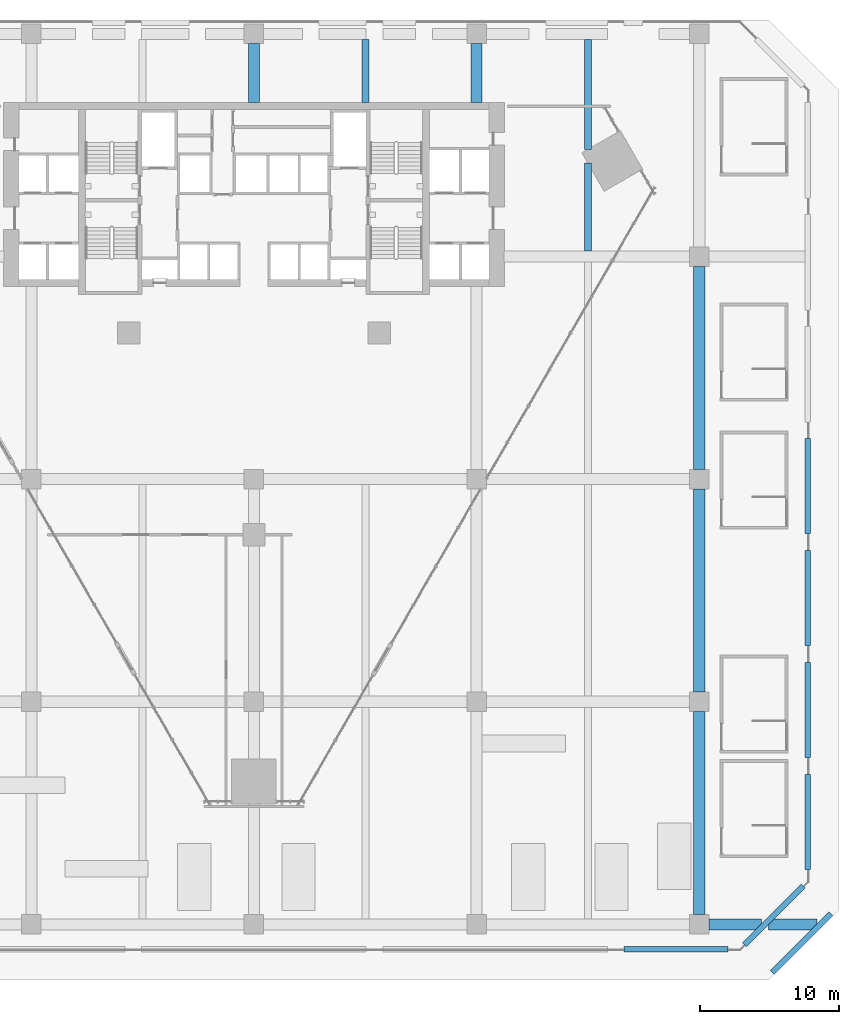
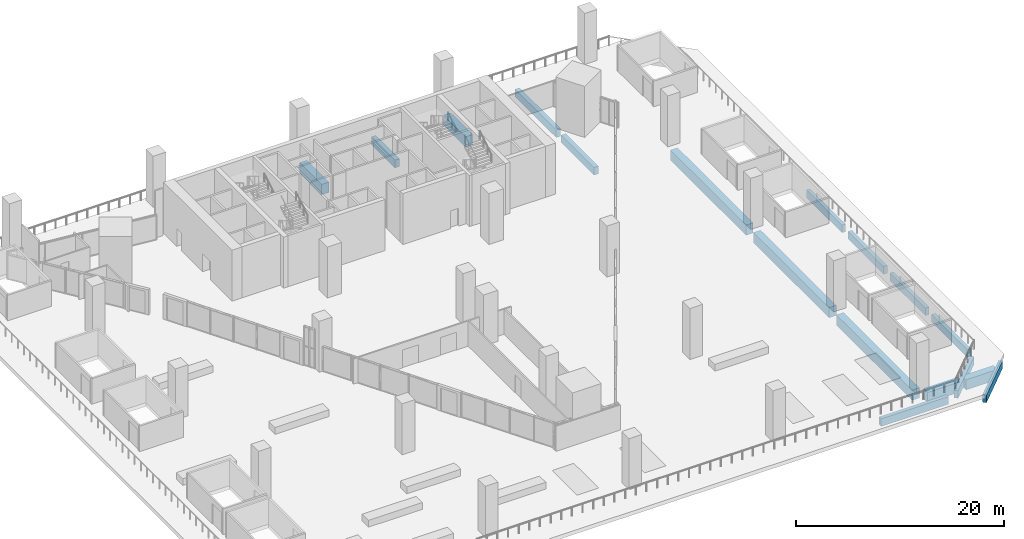
# One storey, part 11 of 25: 17 beams.
"""IFC4 building model written with IfcOpenShell, lengths in metres."""

from ifc_helpers import new_model, si_unit, direction, frame, origin, origin_2d, place, context, subcontext, project, spatial, rectangle, extrude, material, material_profile, profile_set, type_object, element, save


model = new_model("IFC4")

# Units and contexts
model_context = context("Model", 3, precision=1e-05, world=origin(), true_north=direction((0.0, 1.0)))
body_context = subcontext(model_context, "Body", "Model", "MODEL_VIEW")
ifc_project = project(units=[si_unit("LENGTHUNIT", "METRE"), si_unit("AREAUNIT", "SQUARE_METRE"), si_unit("VOLUMEUNIT", "CUBIC_METRE"), si_unit("PLANEANGLEUNIT", "RADIAN"), si_unit("MASSUNIT", "GRAM", prefix="KILO")], contexts=[model_context])

# Site, building, storey
site_placement = place(None, origin())
site = spatial("IfcSite", under=ifc_project, at=site_placement, CompositionType="ELEMENT")
building_placement = place(site_placement, origin())
building = spatial("IfcBuilding", under=site, at=building_placement, Name="Calabash Gate Tower", CompositionType="ELEMENT")
storey_placement = place(building_placement, frame((0.0, 0.0, 40.0)))
storey = spatial("IfcBuildingStorey", under=building, at=storey_placement, Name="L05", CompositionType="ELEMENT", Elevation=40.0)

# Beams
ifc_material_1 = material(Name="Concrete C50/60", Category="concrete")
ifc_material_profile_1 = material_profile(ifc_material_1, rectangle(XDim=0.39990234375, YDim=0.89990234375, at=origin_2d()))
ifc_profile_set_1 = profile_set([ifc_material_profile_1], Name="Concrete C50/60")
beam_type_1 = type_object("IfcBeamType", Name="Edge beam RC 400x900 Concrete C50/60", PredefinedType="BEAM", material=ifc_profile_set_1)
beam_1_placement = place(storey_placement, frame((39.800048828125, -5.075927734375, -0.89990234375), z_axis=(0.0, -1.0, 0.0), x_axis=(1.0, 0.0, 0.0)))
element("IfcBeam", 1, at=beam_1_placement, inside=storey, type_object=beam_type_1, Name="Edge beam L05 22", PredefinedType="BEAM", context=body_context, shape_type="SweptSolid", body=[
    extrude(rectangle(XDim=0.39990234375, YDim=0.89990234375, at=origin_2d()), origin(), (0.0, 0.0, 1.0), 6.84814453125),
])
for number, where, z_axis, x_axis, name in (
    (2, (39.800048828125, -13.1240234375, -0.89990234375), (0.0, -1.0, 0.0), (1.0, 0.0, 0.0), "Edge beam L05 23"),
    (3, (39.800048828125, -21.172119140625, -0.89990234375), (0.0, -1.0, 0.0), (1.0, 0.0, 0.0), "Edge beam L05 24"),
):
    element("IfcBeam", number, at=place(storey_placement, frame(where, z_axis=z_axis, x_axis=x_axis)), inside=storey, type_object=beam_type_1, Name=name, PredefinedType="BEAM", context=body_context, shape_type="SweptSolid", body=[
        extrude(rectangle(XDim=0.39990234375, YDim=0.89990234375, at=origin_2d()), origin(), (0.0, 0.0, 1.0), 6.847900390625),
    ])
beam_2_placement = place(storey_placement, frame((39.800048828125, -29.219970703125, -0.89990234375), z_axis=(0.0, -1.0, 0.0), x_axis=(1.0, 0.0, 0.0)))
element("IfcBeam", 4, at=beam_2_placement, inside=storey, type_object=beam_type_1, Name="Edge beam L05 25", PredefinedType="BEAM", context=body_context, shape_type="SweptSolid", body=[
    extrude(rectangle(XDim=0.39990234375, YDim=0.89990234375, at=origin_2d()), origin(), (0.0, 0.0, 1.0), 6.84912109375),
])
beam_3_placement = place(storey_placement, frame((39.470947265625, -37.24609375, -0.89990234375), z_axis=(-0.707106781187, -0.707106781187, 0.0), x_axis=(0.707106781187, -0.707106781187, 0.0)))
element("IfcBeam", 5, at=beam_3_placement, inside=storey, type_object=beam_type_1, Name="Edge beam L05 26", PredefinedType="BEAM", context=body_context, shape_type="SweptSolid", body=[
    extrude(rectangle(XDim=0.39990234375, YDim=0.89990234375, at=origin_2d()), origin(), (0.0, 0.0, 1.0), 5.974853515625),
])
beam_4_placement = place(storey_placement, frame((34.069091796875, -41.800048828125, -0.89990234375), z_axis=(-1.0, 0.0, 0.0), x_axis=(0.0, -1.0, 0.0)))
element("IfcBeam", 6, at=beam_4_placement, inside=storey, type_object=beam_type_1, Name="Edge beam L05 27", PredefinedType="BEAM", context=body_context, shape_type="SweptSolid", body=[
    extrude(rectangle(XDim=0.39990234375, YDim=0.89990234375, at=origin_2d()), origin(), (0.0, 0.0, 1.0), 7.467041015625),
])
beam_5_placement = place(storey_placement, frame((41.470947265625, -39.24609375, -0.89990234375), z_axis=(-0.707106781187, -0.707106781187, 0.0), x_axis=(0.707106781187, -0.707106781187, 0.0)))
element("IfcBeam", 7, at=beam_5_placement, inside=storey, type_object=beam_type_1, Name="Edge beam L05 32", PredefinedType="BEAM", context=body_context, shape_type="SweptSolid", body=[
    extrude(rectangle(XDim=0.39990234375, YDim=0.89990234375, at=origin_2d()), origin(), (0.0, 0.0, 1.0), 5.974853515625),
])
ifc_material_2 = material(Name="Concrete C50/60", Category="concrete")
ifc_material_profile_2 = material_profile(ifc_material_2, rectangle(XDim=0.5, YDim=0.89990234375, at=origin_2d()))
ifc_profile_set_2 = profile_set([ifc_material_profile_2], Name="Concrete C50/60")
beam_type_2 = type_object("IfcBeamType", Name="Floor beam RC 500x900 Concrete C50/60", PredefinedType="BEAM", material=ifc_profile_set_2)
beam_6_placement = place(storey_placement, frame((8.0, 19.052978515625, -0.89990234375), z_axis=(0.0, 1.0, 0.0), x_axis=(-1.0, 0.0, 0.0)))
element("IfcBeam", 8, at=beam_6_placement, inside=storey, type_object=beam_type_2, Name="Floor beam L05 11", PredefinedType="BEAM", context=body_context, shape_type="SweptSolid", body=[
    extrude(rectangle(XDim=0.5, YDim=0.89990234375, at=origin_2d()), origin(), (0.0, 0.0, 1.0), 4.547119140625),
])
beam_7_placement = place(storey_placement, frame((24.0, 8.39990234375, -0.89990234375), z_axis=(0.0, 1.0, 0.0), x_axis=(-1.0, 0.0, 0.0)))
element("IfcBeam", 9, at=beam_7_placement, inside=storey, type_object=beam_type_2, Name="Floor beam L05 15", PredefinedType="BEAM", context=body_context, shape_type="SweptSolid", body=[
    extrude(rectangle(XDim=0.5, YDim=0.89990234375, at=origin_2d()), origin(), (0.0, 0.0, 1.0), 6.319091796875),
])
beam_8_placement = place(storey_placement, frame((24.0, 15.681884765625, -0.89990234375), z_axis=(0.0, 1.0, 0.0), x_axis=(-1.0, 0.0, 0.0)))
element("IfcBeam", 10, at=beam_8_placement, inside=storey, type_object=beam_type_2, Name="Floor beam L05 16", PredefinedType="BEAM", context=body_context, shape_type="SweptSolid", body=[
    extrude(rectangle(XDim=0.5, YDim=0.89990234375, at=origin_2d()), origin(), (0.0, 0.0, 1.0), 7.918212890625),
])
ifc_material_3 = material(Name="Concrete C50/60", Category="concrete")
ifc_material_profile_3 = material_profile(ifc_material_3, rectangle(XDim=0.800048828125, YDim=1.199951171875, at=origin_2d()))
ifc_profile_set_3 = profile_set([ifc_material_profile_3], Name="Concrete C50/60")
beam_type_3 = type_object("IfcBeamType", Name="Grid girder RC 800x1200 Concrete C50/60", PredefinedType="BEAM", material=ifc_profile_set_3)
for number, where, z_axis, x_axis, name in (
    (11, (0.0, 19.052978515625, -1.050048828125), (0.0, 1.0, 0.0), (-1.0, 0.0, 0.0), "Grid girder L05 13"),
    (12, (16.0, 19.052978515625, -1.050048828125), (0.0, 1.0, 0.0), (-1.0, 0.0, 0.0), "Grid girder L05 17"),
):
    element("IfcBeam", number, at=place(storey_placement, frame(where, z_axis=z_axis, x_axis=x_axis)), inside=storey, type_object=beam_type_3, Name=name, PredefinedType="BEAM", context=body_context, shape_type="SweptSolid", body=[
        extrude(rectangle(XDim=0.800048828125, YDim=1.199951171875, at=origin_2d()), origin(), (0.0, 0.0, 1.0), 4.2470703125),
    ])
for number, where, z_axis, x_axis, name in (
    (13, (32.0, -39.300048828125, -1.050048828125), (0.0, 1.0, 0.0), (-1.0, 0.0, 0.0), "Grid girder L05 18"),
    (14, (32.0, -23.300048828125, -1.050048828125), (0.0, 1.0, 0.0), (-1.0, 0.0, 0.0), "Grid girder L05 19"),
    (15, (32.0, -7.300048828125, -1.050048828125), (0.0, 1.0, 0.0), (-1.0, 0.0, 0.0), "Grid girder L05 20"),
):
    element("IfcBeam", number, at=place(storey_placement, frame(where, z_axis=z_axis, x_axis=x_axis)), inside=storey, type_object=beam_type_3, Name=name, PredefinedType="BEAM", context=body_context, shape_type="SweptSolid", body=[
        extrude(rectangle(XDim=0.800048828125, YDim=1.199951171875, at=origin_2d()), origin(), (0.0, 0.0, 1.0), 14.60009765625),
    ])
beam_9_placement = place(storey_placement, frame((32.699951171875, -40.0, -1.050048828125), z_axis=(1.0, 0.0, 0.0), x_axis=(0.0, 1.0, 0.0)))
element("IfcBeam", 16, at=beam_9_placement, inside=storey, type_object=beam_type_3, Name="Grid girder L05 28", PredefinedType="BEAM", context=body_context, shape_type="SweptSolid", body=[
    extrude(rectangle(XDim=0.800048828125, YDim=1.199951171875, at=origin_2d()), origin(), (0.0, 0.0, 1.0), 3.76611328125),
])
beam_10_placement = place(storey_placement, frame((36.968017578125, -40.0, -1.050048828125), z_axis=(1.0, 0.0, 0.0), x_axis=(0.0, 1.0, 0.0)))
element("IfcBeam", 17, at=beam_10_placement, inside=storey, type_object=beam_type_3, Name="Grid girder L05 29", PredefinedType="BEAM", context=body_context, shape_type="SweptSolid", body=[
    extrude(rectangle(XDim=0.800048828125, YDim=1.199951171875, at=origin_2d()), origin(), (0.0, 0.0, 1.0), 3.498046875),
])

save(model, "model.ifc")
